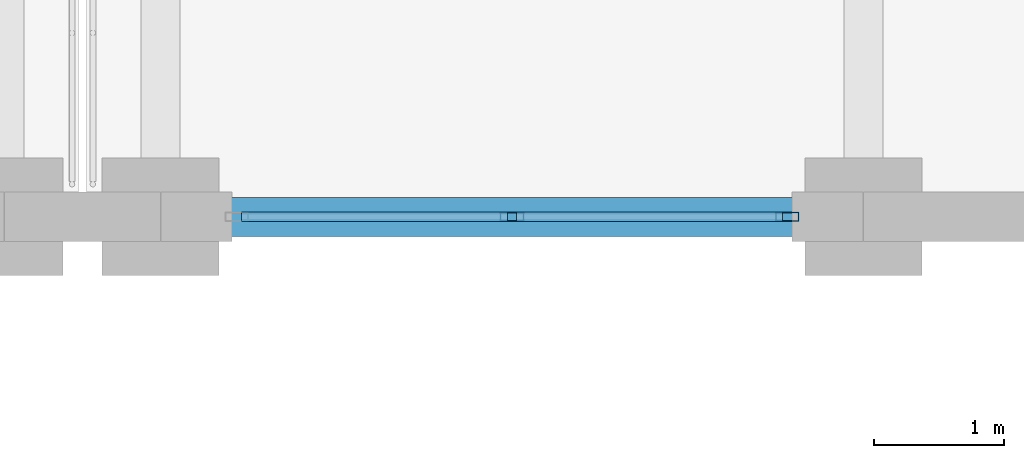
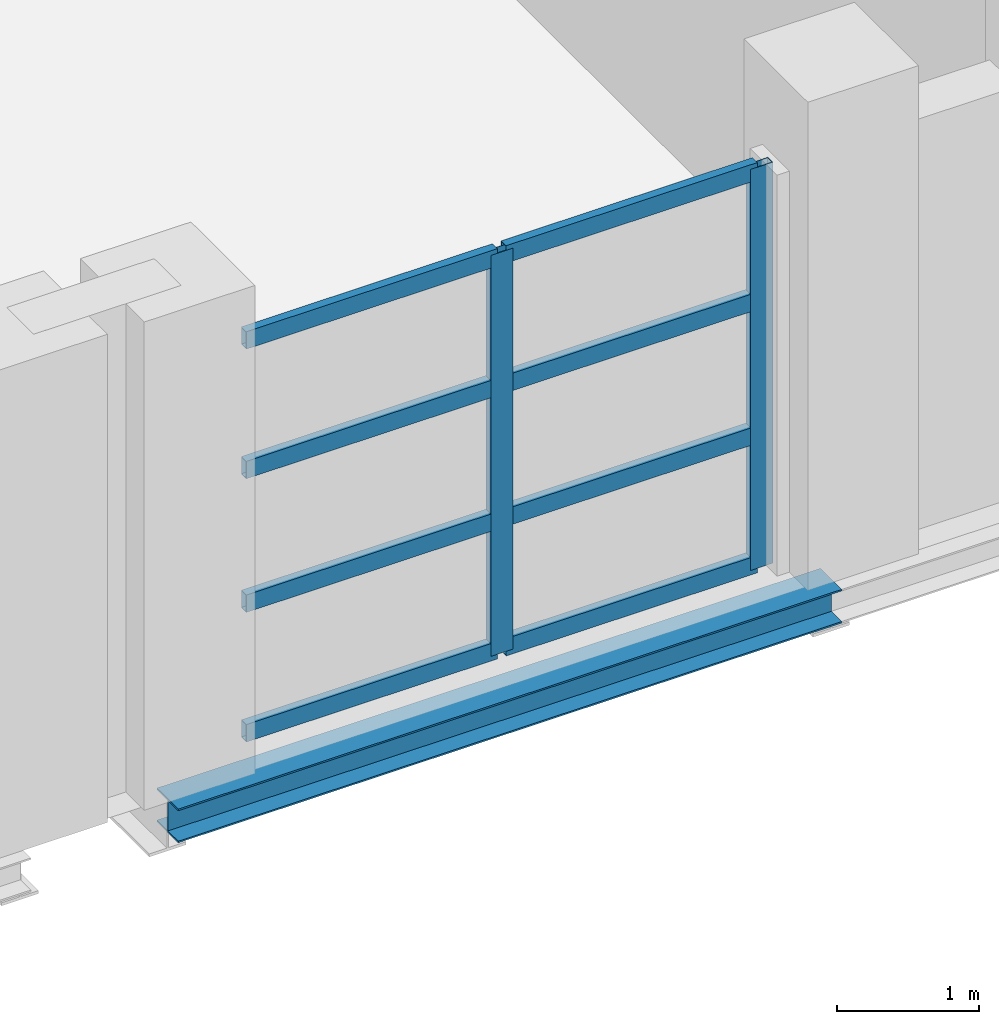
# One storey, part 96 of 158: 10 members, 1 beam, 1 element without a shape of its own.
"""IFC4 building model written with IfcOpenShell, lengths in metres."""

from ifc_helpers import new_model, si_unit, direction, frame, origin, origin_2d, place, context, subcontext, project, spatial, hollow_rectangle, i_section, extrude, material, layer, layer_set, material_profile, profile_set, type_object, element, aggregate, save


model = new_model("IFC4")

# Units and contexts
model_context = context("Model", 3, precision=1e-05, world=origin(), true_north=direction((0.0, 1.0)))
body_context = subcontext(model_context, "Body", "Model", "MODEL_VIEW")
ifc_project = project(units=[si_unit("LENGTHUNIT", "METRE"), si_unit("AREAUNIT", "SQUARE_METRE"), si_unit("VOLUMEUNIT", "CUBIC_METRE"), si_unit("PLANEANGLEUNIT", "RADIAN"), si_unit("MASSUNIT", "GRAM", prefix="KILO")], contexts=[model_context])

# Site, building, storey
site_placement = place(None, origin())
site = spatial("IfcSite", under=ifc_project, at=site_placement, CompositionType="ELEMENT")
building_placement = place(site_placement, origin())
building = spatial("IfcBuilding", under=site, at=building_placement, Name="Zilviju Railside Exhibition Hall", CompositionType="ELEMENT")
storey_placement = place(building_placement, frame((0.0, 0.0, 4.199951171875)))
storey = spatial("IfcBuildingStorey", under=building, at=storey_placement, Name="L02", CompositionType="ELEMENT", Elevation=4.199951171875)

# Beam
ifc_material_1 = material(Name="Steel S355J2", Category="steel")
ifc_material_profile_1 = material_profile(ifc_material_1, i_section(OverallWidth=0.300048828125, OverallDepth=0.2900390625, WebThickness=0.008544921875, FlangeThickness=0.013916015625, at=origin_2d()), Name="HEA 300")
ifc_profile_set_1 = profile_set([ifc_material_profile_1], Name="Steel S355J2")
beam_type = type_object("IfcBeamType", Name="BM-HEA300", PredefinedType="SPANDREL", material=ifc_profile_set_1)
beam_placement = place(storey_placement, frame((126.60009765625, 84.0, -0.474853515625), z_axis=(1.0, 0.0, 0.0), x_axis=(0.0, 1.0, 0.0)))
element("IfcBeam", 1, at=beam_placement, inside=storey, type_object=beam_type, Name="Primary Girder L02 Y=84.0 (126.6..132.0)", PredefinedType="SPANDREL", context=body_context, shape_type="SweptSolid", body=[
    extrude(i_section(OverallWidth=0.300048828125, OverallDepth=0.2900390625, WebThickness=0.008544921875, FlangeThickness=0.013916015625, at=origin_2d()), origin(), (0.0, 0.0, 1.0), 5.39990234375),
])

# Curtain wall, members
ifc_material_2 = material(Name="Thermally broken aluminium-steel triple-glazed curtain wall", Category="steel")
ifc_layer = layer(ifc_material_2, 0.179931640625)
ifc_layer_set = layer_set([ifc_layer], Name="Thermally broken aluminium-steel triple-glazed curtain wall")
curtain_wall_type = type_object("IfcCurtainWallType", Name="CW-BAY-07", PredefinedType="USERDEFINED", material=ifc_layer_set)
curtain_wall_placement = place(storey_placement, origin())
curtain_wall = element("IfcCurtainWall", 2, at=curtain_wall_placement, inside=storey, type_object=curtain_wall_type, Name="North Hall Garden Court Curtain Wall L02 (127..132)", ObjectType="GLAZED CURTAIN WALL", PredefinedType="USERDEFINED")
ifc_material_3 = material(Name="Thermally broken anodized aluminium mullion", Category="aluminium")
ifc_material_profile_2 = material_profile(ifc_material_3, hollow_rectangle(XDim=0.070068359375, YDim=0.179931640625, WallThickness=0.0048828125, at=origin_2d()), Name="MULLION 180x70x5")
ifc_profile_set_2 = profile_set([ifc_material_profile_2], Name="Thermally broken anodized aluminium mullion")
member_type_1 = type_object("IfcMemberType", Name="CWM-70x180", PredefinedType="MULLION", material=ifc_profile_set_2)
member_1_placement = place(storey_placement, frame((131.4150390625, 84.0, 0.0), z_axis=(0.0, 0.0, 1.0), x_axis=(0.0, -1.0, 0.0)))
member_1 = element("IfcMember", 3, at=member_1_placement, type_object=member_type_1, Name="CW-07 mullion 1", PredefinedType="MULLION", context=body_context, shape_type="SweptSolid", body=[
    extrude(hollow_rectangle(XDim=0.070068359375, YDim=0.179931640625, WallThickness=0.0048828125, at=origin_2d()), origin(), (0.0, 0.0, 1.0), 3.449951171875),
])
member_2_placement = place(storey_placement, frame((129.300048828125, 84.0, 0.0), z_axis=(0.0, 0.0, 1.0), x_axis=(0.0, -1.0, 0.0)))
member_2 = element("IfcMember", 4, at=member_2_placement, type_object=member_type_1, Name="CW-07 mullion 2", PredefinedType="MULLION", context=body_context, shape_type="SweptSolid", body=[
    extrude(hollow_rectangle(XDim=0.070068359375, YDim=0.179931640625, WallThickness=0.0048828125, at=origin_2d()), origin(), (0.0, 0.0, 1.0), 3.449951171875),
])
ifc_material_4 = material(Name="Thermally broken anodized aluminium transom", Category="aluminium")
ifc_material_profile_3 = material_profile(ifc_material_4, hollow_rectangle(XDim=0.070068359375, YDim=0.14990234375, WallThickness=0.0048828125, at=origin_2d()), Name="TRANSOM 150x70x5")
ifc_profile_set_3 = profile_set([ifc_material_profile_3], Name="Thermally broken anodized aluminium transom")
member_type_2 = type_object("IfcMemberType", Name="CWT-70x150", PredefinedType="USERDEFINED", material=ifc_profile_set_3)
member_3_placement = place(storey_placement, frame((131.3798828125, 84.0, 0.03515625), z_axis=(-1.0, 0.0, 0.0), x_axis=(0.0, -1.0, 0.0)))
member_3 = element("IfcMember", 5, at=member_3_placement, type_object=member_type_2, Name="CW-07 transom 1.1", ObjectType="TRANSOM", PredefinedType="USERDEFINED", context=body_context, shape_type="SweptSolid", body=[
    extrude(hollow_rectangle(XDim=0.070068359375, YDim=0.14990234375, WallThickness=0.0048828125, at=origin_2d()), origin(), (0.0, 0.0, 1.0), 2.044921875),
])
member_4_placement = place(storey_placement, frame((131.3798828125, 84.0, 1.150146484375), z_axis=(-1.0, 0.0, 0.0), x_axis=(0.0, -1.0, 0.0)))
member_4 = element("IfcMember", 6, at=member_4_placement, type_object=member_type_2, Name="CW-07 transom 1.2", ObjectType="TRANSOM", PredefinedType="USERDEFINED", context=body_context, shape_type="SweptSolid", body=[
    extrude(hollow_rectangle(XDim=0.070068359375, YDim=0.14990234375, WallThickness=0.0048828125, at=origin_2d()), origin(), (0.0, 0.0, 1.0), 2.044921875),
])
member_5_placement = place(storey_placement, frame((131.3798828125, 84.0, 2.300048828125), z_axis=(-1.0, 0.0, 0.0), x_axis=(0.0, -1.0, 0.0)))
member_5 = element("IfcMember", 7, at=member_5_placement, type_object=member_type_2, Name="CW-07 transom 1.3", ObjectType="TRANSOM", PredefinedType="USERDEFINED", context=body_context, shape_type="SweptSolid", body=[
    extrude(hollow_rectangle(XDim=0.070068359375, YDim=0.14990234375, WallThickness=0.0048828125, at=origin_2d()), origin(), (0.0, 0.0, 1.0), 2.044921875),
])
member_6_placement = place(storey_placement, frame((131.3798828125, 84.0, 3.4150390625), z_axis=(-1.0, 0.0, 0.0), x_axis=(0.0, -1.0, 0.0)))
member_6 = element("IfcMember", 8, at=member_6_placement, type_object=member_type_2, Name="CW-07 transom 1.4", ObjectType="TRANSOM", PredefinedType="USERDEFINED", context=body_context, shape_type="SweptSolid", body=[
    extrude(hollow_rectangle(XDim=0.070068359375, YDim=0.14990234375, WallThickness=0.0048828125, at=origin_2d()), origin(), (0.0, 0.0, 1.0), 2.044921875),
])
member_7_placement = place(storey_placement, frame((129.264892578125, 84.0, 0.03515625), z_axis=(-1.0, 0.0, 0.0), x_axis=(0.0, -1.0, 0.0)))
member_7 = element("IfcMember", 9, at=member_7_placement, type_object=member_type_2, Name="CW-07 transom 2.1", ObjectType="TRANSOM", PredefinedType="USERDEFINED", context=body_context, shape_type="SweptSolid", body=[
    extrude(hollow_rectangle(XDim=0.070068359375, YDim=0.14990234375, WallThickness=0.0048828125, at=origin_2d()), origin(), (0.0, 0.0, 1.0), 2.044921875),
])
member_8_placement = place(storey_placement, frame((129.264892578125, 84.0, 1.150146484375), z_axis=(-1.0, 0.0, 0.0), x_axis=(0.0, -1.0, 0.0)))
member_8 = element("IfcMember", 10, at=member_8_placement, type_object=member_type_2, Name="CW-07 transom 2.2", ObjectType="TRANSOM", PredefinedType="USERDEFINED", context=body_context, shape_type="SweptSolid", body=[
    extrude(hollow_rectangle(XDim=0.070068359375, YDim=0.14990234375, WallThickness=0.0048828125, at=origin_2d()), origin(), (0.0, 0.0, 1.0), 2.044921875),
])
member_9_placement = place(storey_placement, frame((129.264892578125, 84.0, 2.300048828125), z_axis=(-1.0, 0.0, 0.0), x_axis=(0.0, -1.0, 0.0)))
member_9 = element("IfcMember", 11, at=member_9_placement, type_object=member_type_2, Name="CW-07 transom 2.3", ObjectType="TRANSOM", PredefinedType="USERDEFINED", context=body_context, shape_type="SweptSolid", body=[
    extrude(hollow_rectangle(XDim=0.070068359375, YDim=0.14990234375, WallThickness=0.0048828125, at=origin_2d()), origin(), (0.0, 0.0, 1.0), 2.044921875),
])
member_10_placement = place(storey_placement, frame((129.264892578125, 84.0, 3.4150390625), z_axis=(-1.0, 0.0, 0.0), x_axis=(0.0, -1.0, 0.0)))
member_10 = element("IfcMember", 12, at=member_10_placement, type_object=member_type_2, Name="CW-07 transom 2.4", ObjectType="TRANSOM", PredefinedType="USERDEFINED", context=body_context, shape_type="SweptSolid", body=[
    extrude(hollow_rectangle(XDim=0.070068359375, YDim=0.14990234375, WallThickness=0.0048828125, at=origin_2d()), origin(), (0.0, 0.0, 1.0), 2.044921875),
])
aggregate(curtain_wall, [member_1, member_2, member_3, member_4, member_5, member_6, member_7, member_8, member_9, member_10])

save(model, "model.ifc")
